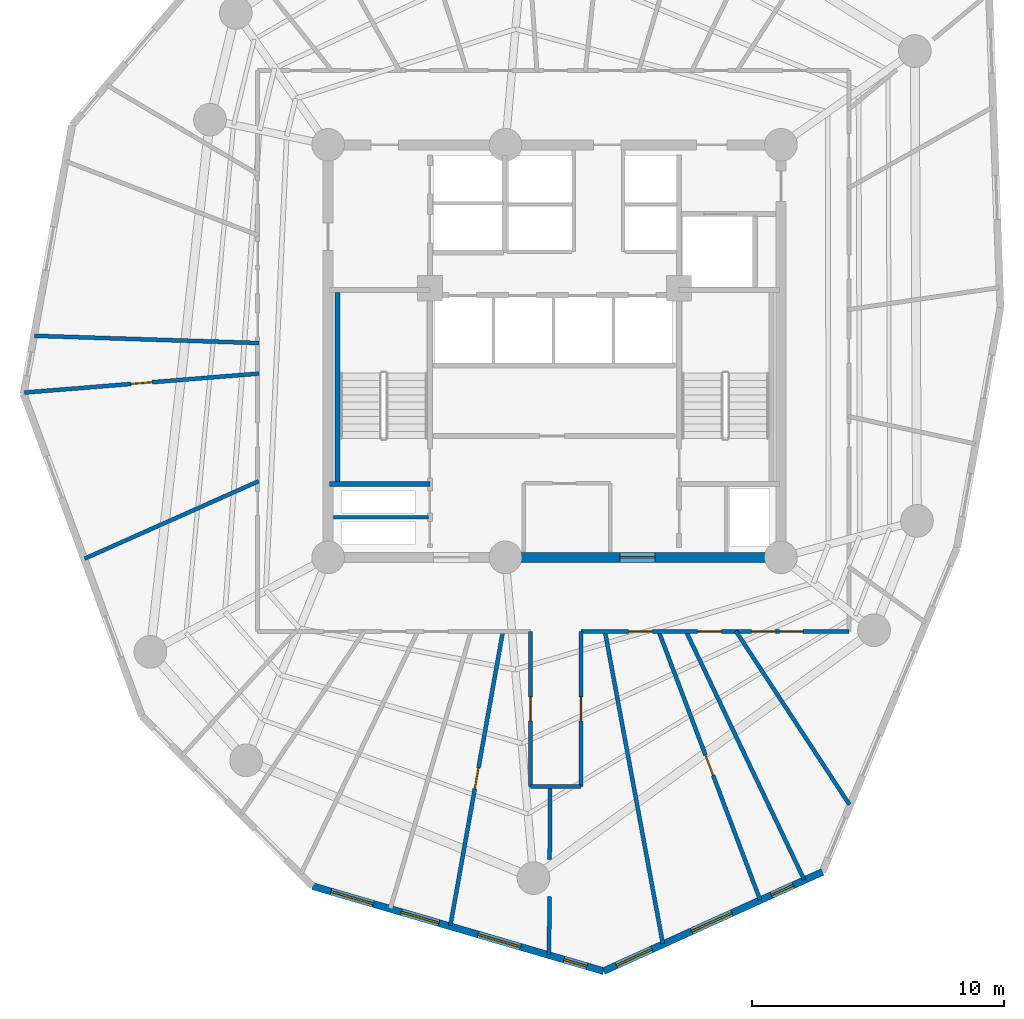
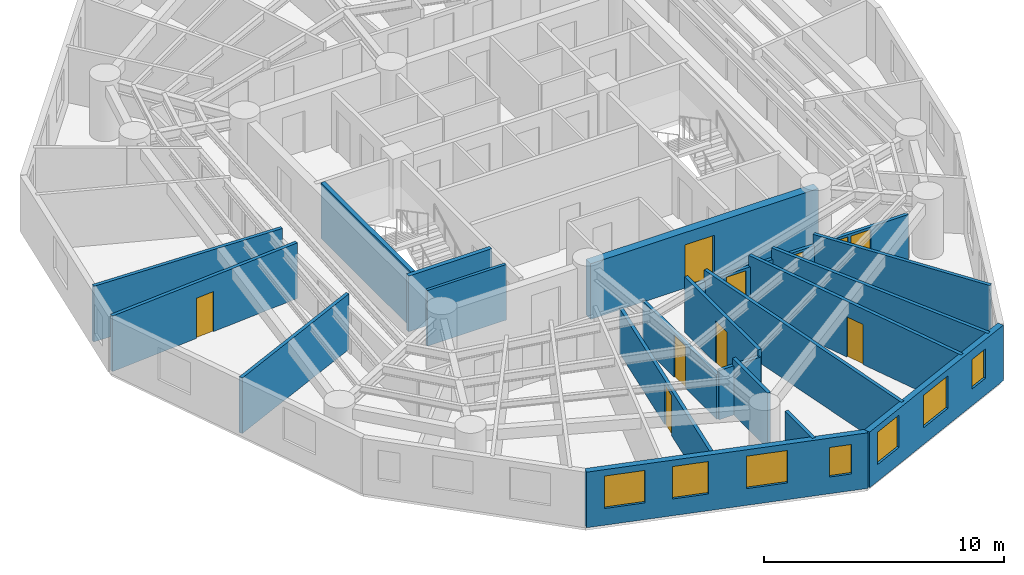
# One storey, part 3 of 8: 20 walls, 10 doors, 7 windows, 17 openings.
"""IFC4 building model written with IfcOpenShell, lengths in metres."""

from ifc_helpers import new_model, si_unit, direction, frame, frame_2d, origin, origin_with_axes, place, context, subcontext, project, spatial, rectangle, extrude, source, transform, mapped, material, layer, layer_set, type_object, element, fill, save


model = new_model("IFC4")

# Units and contexts
model_context = context("Model", 3, precision=1e-05, world=origin(), true_north=direction((0.0, 1.0)))
body_context = subcontext(model_context, "Body", "Model", "MODEL_VIEW")
ifc_project = project(units=[si_unit("LENGTHUNIT", "METRE"), si_unit("AREAUNIT", "SQUARE_METRE"), si_unit("VOLUMEUNIT", "CUBIC_METRE"), si_unit("PLANEANGLEUNIT", "RADIAN"), si_unit("MASSUNIT", "GRAM", prefix="KILO")], contexts=[model_context])

# Site, building, storey
site_placement = place(None, origin())
site = spatial("IfcSite", under=ifc_project, at=site_placement, CompositionType="ELEMENT")
building_placement = place(site_placement, origin())
building = spatial("IfcBuilding", under=site, at=building_placement, Name="Karkom Vertical University and Central Library", CompositionType="ELEMENT")
storey_placement = place(building_placement, frame((0.0, 0.0, 162.64990234375)))
storey = spatial("IfcBuildingStorey", under=building, at=storey_placement, Name="L46", CompositionType="ELEMENT", Elevation=162.64990234375)

# Wall, openings, windows
ifc_material_1 = material(Name="Brick-faced precast concrete C45/55", Category="masonry")
ifc_layer_1 = layer(ifc_material_1, 0.280029296875)
ifc_layer_set_1 = layer_set([ifc_layer_1], Name="Brick-faced precast concrete C45/55")
wall_type_1 = type_object("IfcWallType", Name="ENV-WL-BRK-280", PredefinedType="SOLIDWALL", material=ifc_layer_set_1)
wall_1_placement = place(storey_placement, frame((18.884521484375, 5.22998046875, 0.0), z_axis=(0.0, 0.0, 1.0), x_axis=(0.959880587049, -0.280409091519, 0.0)))
wall_1 = element("IfcWall", 1, at=wall_1_placement, inside=storey, type_object=wall_type_1, Name="Level 46 Brick-Faced Precast Facade Wall 04", PredefinedType="SOLIDWALL", context=body_context, shape_type="SweptSolid", body=[
    extrude(rectangle(XDim=12.053466796875, YDim=0.280029296875, at=frame_2d((6.02685546875, 0.0))), origin(), (0.0, 0.0, 1.0), 2.8251953125),
])
opening_1_placement = place(wall_1_placement, frame((0.76318359375, 0.0, 0.85009765625)))
opening_1 = element("IfcOpeningElement", 2, at=opening_1_placement, cuts=wall_1, Name="Opening WN-08", PredefinedType="OPENING", context=body_context, shape_type="SweptSolid", body=[
    extrude(rectangle(XDim=1.75, YDim=1.64990234375, at=frame_2d((0.875, 0.824951171875))), frame((0.0, 0.14990234375, 0.0), z_axis=(0.0, -1.0, 0.0), x_axis=(1.0, 0.0, 0.0)), (0.0, 0.0, 1.0), 0.300048828125),
])
opening_2_placement = place(wall_1_placement, frame((3.67919921875, 0.0, 0.85009765625)))
opening_2 = element("IfcOpeningElement", 3, at=opening_2_placement, cuts=wall_1, Name="Opening WN-09", PredefinedType="OPENING", context=body_context, shape_type="SweptSolid", body=[
    extrude(rectangle(XDim=1.550048828125, YDim=1.64990234375, at=frame_2d((0.77490234375, 0.824951171875))), frame((0.0, 0.14990234375, 0.0), z_axis=(0.0, -1.0, 0.0), x_axis=(1.0, 0.0, 0.0)), (0.0, 0.0, 1.0), 0.300048828125),
])
opening_3_placement = place(wall_1_placement, frame((6.85888671875, 0.0, 0.85009765625)))
opening_3 = element("IfcOpeningElement", 4, at=opening_3_placement, cuts=wall_1, Name="Opening WN-08", PredefinedType="OPENING", context=body_context, shape_type="SweptSolid", body=[
    extrude(rectangle(XDim=1.75, YDim=1.64990234375, at=frame_2d((0.875, 0.824951171875))), frame((0.0, 0.14990234375, 0.0), z_axis=(0.0, -1.0, 0.0), x_axis=(1.0, 0.0, 0.0)), (0.0, 0.0, 1.0), 0.300048828125),
])
opening_4_placement = place(wall_1_placement, frame((10.409423828125, 0.0, 0.85009765625)))
opening_4 = element("IfcOpeningElement", 5, at=opening_4_placement, cuts=wall_1, Name="Opening WN-12", PredefinedType="OPENING", context=body_context, shape_type="SweptSolid", body=[
    extrude(rectangle(XDim=0.949951171875, YDim=1.5, at=frame_2d((0.47509765625, 0.75))), frame((0.0, 0.14990234375, 0.0), z_axis=(0.0, -1.0, 0.0), x_axis=(1.0, 0.0, 0.0)), (0.0, 0.0, 1.0), 0.300048828125),
])
ifc_material_2 = material(Name="Aluminium thermal-break frame with solar-control IGU", Category="aluminium")
window_type_1 = type_object("IfcWindowType", Name="ENV-WIN-WN-12", PartitioningType="SINGLE_PANEL", PredefinedType="WINDOW", material=ifc_material_2)
shared_shape_1 = source(origin_with_axes(), body_context, "Body", "SweptSolid", [
    extrude(rectangle(XDim=0.949951171875, YDim=1.5, at=frame_2d((0.47509765625, 0.75))), frame((0.0, 0.030029296875, 0.0), z_axis=(0.0, -1.0, 0.0), x_axis=(1.0, 0.0, 0.0)), (0.0, 0.0, 1.0), 0.06005859375),
])
window_1_placement = place(opening_4_placement, origin())
window_1 = element("IfcWindow", 6, at=window_1_placement, inside=storey, type_object=window_type_1, Name="Level 46 Punched Window 4.4", OverallHeight=1.5, OverallWidth=0.949951171875, PartitioningType="SINGLE_PANEL", PredefinedType="WINDOW", context=body_context, shape_type="MappedRepresentation", body=[
    mapped(shared_shape_1, transform((0.0, 0.0, 0.0), scale=1.0)),
])
fill(opening_4, window_1)
window_type_2 = type_object("IfcWindowType", Name="ENV-WIN-WN-08", PartitioningType="SINGLE_PANEL", PredefinedType="WINDOW", material=ifc_material_2)
shared_shape_2 = source(origin_with_axes(), body_context, "Body", "SweptSolid", [
    extrude(rectangle(XDim=1.75, YDim=1.64990234375, at=frame_2d((0.875, 0.824951171875))), frame((0.0, 0.030029296875, 0.0), z_axis=(0.0, -1.0, 0.0), x_axis=(1.0, 0.0, 0.0)), (0.0, 0.0, 1.0), 0.06005859375),
])
window_2_placement = place(opening_1_placement, origin())
window_2 = element("IfcWindow", 7, at=window_2_placement, inside=storey, type_object=window_type_2, Name="Level 46 Punched Window 4.1", OverallHeight=1.64990234375, OverallWidth=1.75, PartitioningType="SINGLE_PANEL", PredefinedType="WINDOW", context=body_context, shape_type="MappedRepresentation", body=[
    mapped(shared_shape_2, transform((0.0, 0.0, 0.0), scale=1.0)),
])
fill(opening_1, window_2)
window_3_placement = place(opening_3_placement, origin())
window_3 = element("IfcWindow", 8, at=window_3_placement, inside=storey, type_object=window_type_2, Name="Level 46 Punched Window 4.3", OverallHeight=1.64990234375, OverallWidth=1.75, PartitioningType="SINGLE_PANEL", PredefinedType="WINDOW", context=body_context, shape_type="MappedRepresentation", body=[
    mapped(shared_shape_2, transform((0.0, 0.0, 0.0), scale=1.0)),
])
fill(opening_3, window_3)
window_type_3 = type_object("IfcWindowType", Name="ENV-WIN-WN-09", PartitioningType="SINGLE_PANEL", PredefinedType="WINDOW", material=ifc_material_2)
shared_shape_3 = source(origin_with_axes(), body_context, "Body", "SweptSolid", [
    extrude(rectangle(XDim=1.550048828125, YDim=1.64990234375, at=frame_2d((0.77490234375, 0.824951171875))), frame((0.0, 0.030029296875, 0.0), z_axis=(0.0, -1.0, 0.0), x_axis=(1.0, 0.0, 0.0)), (0.0, 0.0, 1.0), 0.06005859375),
])
window_4_placement = place(opening_2_placement, origin())
window_4 = element("IfcWindow", 9, at=window_4_placement, inside=storey, type_object=window_type_3, Name="Level 46 Punched Window 4.2", OverallHeight=1.64990234375, OverallWidth=1.550048828125, PartitioningType="SINGLE_PANEL", PredefinedType="WINDOW", context=body_context, shape_type="MappedRepresentation", body=[
    mapped(shared_shape_3, transform((0.0, 0.0, 0.0), scale=1.0)),
])
fill(opening_2, window_4)

wall_2_placement = place(storey_placement, frame((30.454345703125, 1.85009765625, 0.0), z_axis=(0.0, 0.0, 1.0), x_axis=(0.910849042107, 0.412739654617, 0.0)))
wall_2 = element("IfcWall", 10, at=wall_2_placement, inside=storey, type_object=wall_type_1, Name="Level 46 Brick-Faced Precast Facade Wall 05", PredefinedType="SOLIDWALL", context=body_context, shape_type="SweptSolid", body=[
    extrude(rectangle(XDim=9.5517578125, YDim=0.280029296875, at=frame_2d((4.77587890625, 0.0))), origin(), (0.0, 0.0, 1.0), 2.8251953125),
])
opening_5_placement = place(wall_2_placement, frame((0.55712890625, 0.0, 0.85009765625)))
opening_5 = element("IfcOpeningElement", 11, at=opening_5_placement, cuts=wall_2, Name="Opening WN-09", PredefinedType="OPENING", context=body_context, shape_type="SweptSolid", body=[
    extrude(rectangle(XDim=1.550048828125, YDim=1.64990234375, at=frame_2d((0.77490234375, 0.824951171875))), frame((0.0, 0.14990234375, 0.0), z_axis=(0.0, -1.0, 0.0), x_axis=(1.0, 0.0, 0.0)), (0.0, 0.0, 1.0), 0.300048828125),
])
opening_6_placement = place(wall_2_placement, frame((3.84619140625, 0.0, 0.85009765625)))
opening_6 = element("IfcOpeningElement", 12, at=opening_6_placement, cuts=wall_2, Name="Opening WN-08", PredefinedType="OPENING", context=body_context, shape_type="SweptSolid", body=[
    extrude(rectangle(XDim=1.75, YDim=1.64990234375, at=frame_2d((0.875, 0.824951171875))), frame((0.0, 0.14990234375, 0.0), z_axis=(0.0, -1.0, 0.0), x_axis=(1.0, 0.0, 0.0)), (0.0, 0.0, 1.0), 0.300048828125),
])
opening_7_placement = place(wall_2_placement, frame((7.32421875, 0.0, 0.85009765625)))
opening_7 = element("IfcOpeningElement", 13, at=opening_7_placement, cuts=wall_2, Name="Opening WN-12", PredefinedType="OPENING", context=body_context, shape_type="SweptSolid", body=[
    extrude(rectangle(XDim=0.949951171875, YDim=1.5, at=frame_2d((0.47509765625, 0.75))), frame((0.0, 0.14990234375, 0.0), z_axis=(0.0, -1.0, 0.0), x_axis=(1.0, 0.0, 0.0)), (0.0, 0.0, 1.0), 0.300048828125),
])
window_5_placement = place(opening_7_placement, origin())
window_5 = element("IfcWindow", 14, at=window_5_placement, inside=storey, type_object=window_type_1, Name="Level 46 Punched Window 5.3", OverallHeight=1.5, OverallWidth=0.949951171875, PartitioningType="SINGLE_PANEL", PredefinedType="WINDOW", context=body_context, shape_type="MappedRepresentation", body=[
    mapped(shared_shape_1, transform((0.0, 0.0, 0.0), scale=1.0)),
])
fill(opening_7, window_5)
window_6_placement = place(opening_6_placement, origin())
window_6 = element("IfcWindow", 15, at=window_6_placement, inside=storey, type_object=window_type_2, Name="Level 46 Punched Window 5.2", OverallHeight=1.64990234375, OverallWidth=1.75, PartitioningType="SINGLE_PANEL", PredefinedType="WINDOW", context=body_context, shape_type="MappedRepresentation", body=[
    mapped(shared_shape_2, transform((0.0, 0.0, 0.0), scale=1.0)),
])
fill(opening_6, window_6)
window_7_placement = place(opening_5_placement, origin())
window_7 = element("IfcWindow", 16, at=window_7_placement, inside=storey, type_object=window_type_3, Name="Level 46 Punched Window 5.1", OverallHeight=1.64990234375, OverallWidth=1.550048828125, PartitioningType="SINGLE_PANEL", PredefinedType="WINDOW", context=body_context, shape_type="MappedRepresentation", body=[
    mapped(shared_shape_3, transform((0.0, 0.0, 0.0), scale=1.0)),
])
fill(opening_5, window_7)

# Wall
ifc_material_3 = material(Name="Insulated metal-stud drywall 160mm", Category="gypsum")
ifc_layer_2 = layer(ifc_material_3, 0.159912109375)
ifc_layer_set_2 = layer_set([ifc_layer_2], Name="Insulated metal-stud drywall 160mm")
wall_type_2 = type_object("IfcWallType", Name="INT-WL-COR-160", PredefinedType="PARTITIONING", material=ifc_layer_set_2)
wall_3_placement = place(storey_placement, frame((30.50146484375, 15.37939453125, 0.0), z_axis=(0.0, 0.0, 1.0), x_axis=(0.182367171239, -0.983230499351, 0.0)))
element("IfcWall", 17, at=wall_3_placement, inside=storey, type_object=wall_type_2, Name="Level 46 Interior Partition Wall L46-PW-011", PredefinedType="PARTITIONING", context=body_context, shape_type="SweptSolid", body=[
    extrude(rectangle(XDim=12.645751953125, YDim=0.159912109375, at=frame_2d((6.32275390625, 0.0))), origin(), (0.0, 0.0, 1.0), 2.8251953125),
])

# Wall, opening, door
wall_4_placement = place(storey_placement, frame((26.452880859375, 15.37939453125, 0.0), z_axis=(0.0, 0.0, 1.0), x_axis=(-0.175848115547, -0.984417310016, 0.0)))
wall_4 = element("IfcWall", 18, at=wall_4_placement, inside=storey, type_object=wall_type_2, Name="Level 46 Interior Partition Wall L46-PW-008", PredefinedType="PARTITIONING", context=body_context, shape_type="SweptSolid", body=[
    extrude(rectangle(XDim=11.907958984375, YDim=0.159912109375, at=frame_2d((5.9541015625, 0.0))), origin(), (0.0, 0.0, 1.0), 2.275146484375),
])
opening_8_placement = place(wall_4_placement, frame((5.52392578125, 0.0, 0.0)))
opening_8 = element("IfcOpeningElement", 19, at=opening_8_placement, cuts=wall_4, Name="Opening FD-BTH2", PredefinedType="OPENING", context=body_context, shape_type="SweptSolid", body=[
    extrude(rectangle(XDim=0.860107421875, YDim=2.0400390625, at=frame_2d((0.43017578125, 1.02001953125))), frame((0.0, 0.08984375, 0.0), z_axis=(0.0, -1.0, 0.0), x_axis=(1.0, 0.0, 0.0)), (0.0, 0.0, 1.0), 0.179931640625),
])
ifc_material_4 = material(Name="Fire-rated moisture-resistant oak door", Category="wood")
door_type_1 = type_object("IfcDoorType", Name="INT-DR-FBTH2", OperationType="NOTDEFINED", PredefinedType="DOOR", material=ifc_material_4)
shared_shape_4 = source(origin_with_axes(), body_context, "Body", "SweptSolid", [
    extrude(rectangle(XDim=0.860107421875, YDim=2.0400390625, at=frame_2d((0.43017578125, 1.02001953125))), frame((0.0, 0.02490234375, 0.0), z_axis=(0.0, -1.0, 0.0), x_axis=(1.0, 0.0, 0.0)), (0.0, 0.0, 1.0), 0.050048828125),
])
door_1_placement = place(opening_8_placement, origin())
door_1 = element("IfcDoor", 20, at=door_1_placement, inside=storey, type_object=door_type_1, Name="Level 46 Academic Collaborative Study Lounge Entry Door", OperationType="SINGLE_SWING_LEFT", OverallHeight=2.0400390625, OverallWidth=0.860107421875, PredefinedType="DOOR", context=body_context, shape_type="MappedRepresentation", body=[
    mapped(shared_shape_4, transform((0.0, 0.0, 0.0), scale=1.0)),
])
fill(opening_8, door_1)

wall_5_placement = place(storey_placement, frame((32.635986328125, 15.378173828125, 0.0), z_axis=(0.0, 0.0, 1.0), x_axis=(0.353270856326, -0.93552108585, 0.0)))
wall_5 = element("IfcWall", 21, at=wall_5_placement, inside=storey, type_object=wall_type_2, Name="Level 46 Interior Partition Wall L46-PW-012", PredefinedType="PARTITIONING", context=body_context, shape_type="SweptSolid", body=[
    extrude(rectangle(XDim=11.420166015625, YDim=0.159912109375, at=frame_2d((5.7099609375, 0.0))), origin(), (0.0, 0.0, 1.0), 2.8251953125),
])
opening_9_placement = place(wall_5_placement, frame((5.280029296875, 0.0, 0.0)))
opening_9 = element("IfcOpeningElement", 22, at=opening_9_placement, cuts=wall_5, Name="Opening FD-BTH2", PredefinedType="OPENING", context=body_context, shape_type="SweptSolid", body=[
    extrude(rectangle(XDim=0.860107421875, YDim=2.0400390625, at=frame_2d((0.43017578125, 1.02001953125))), frame((0.0, 0.08984375, 0.0), z_axis=(0.0, -1.0, 0.0), x_axis=(1.0, 0.0, 0.0)), (0.0, 0.0, 1.0), 0.179931640625),
])
door_2_placement = place(opening_9_placement, origin())
door_2 = element("IfcDoor", 23, at=door_2_placement, inside=storey, type_object=door_type_1, Name="Level 46 Campus Student Health Counseling Clinic Entry Door", OperationType="SINGLE_SWING_RIGHT", OverallHeight=2.0400390625, OverallWidth=0.860107421875, PredefinedType="DOOR", context=body_context, shape_type="MappedRepresentation", body=[
    mapped(shared_shape_4, transform((0.0, 0.0, 0.0), scale=1.0)),
])
fill(opening_9, door_2)

# Wall
wall_6_placement = place(storey_placement, frame((33.72216796875, 15.377197265625, 0.0), z_axis=(0.0, 0.0, 1.0), x_axis=(0.429403808609, -0.903112600483, 0.0)))
element("IfcWall", 24, at=wall_6_placement, inside=storey, type_object=wall_type_2, Name="Level 46 Interior Partition Wall L46-PW-013", PredefinedType="PARTITIONING", context=body_context, shape_type="SweptSolid", body=[
    extrude(rectangle(XDim=10.94921875, YDim=0.159912109375, at=frame_2d((5.474609375, 0.0))), origin(), (0.0, 0.0, 1.0), 2.8251953125),
])

# Wall, openings, doors
wall_7_placement = place(storey_placement, frame((40.199951171875, 15.35009765625, 0.0), z_axis=(0.0, 0.0, 1.0), x_axis=(-1.0, 0.0, 0.0)))
wall_7 = element("IfcWall", 25, at=wall_7_placement, inside=storey, type_object=wall_type_2, Name="Level 46 Interior Partition Wall L46-CORW-CW-005", PredefinedType="PARTITIONING", context=body_context, shape_type="SweptSolid", body=[
    extrude(rectangle(XDim=10.64990234375, YDim=0.159912109375, at=frame_2d((5.324951171875, 0.0))), origin(), (0.0, 0.0, 1.0), 2.275146484375),
])
opening_10_placement = place(wall_7_placement, frame((7.802490234375, 0.0, 0.0)))
opening_10 = element("IfcOpeningElement", 26, at=opening_10_placement, cuts=wall_7, Name="Opening D-RM1", PredefinedType="OPENING", context=body_context, shape_type="SweptSolid", body=[
    extrude(rectangle(XDim=0.949951171875, YDim=2.14990234375, at=frame_2d((0.47509765625, 1.074951171875))), frame((0.0, 0.08984375, 0.0), z_axis=(0.0, -1.0, 0.0), x_axis=(1.0, 0.0, 0.0)), (0.0, 0.0, 1.0), 0.179931640625),
])
opening_11_placement = place(wall_7_placement, frame((5.0576171875, 0.0, 0.0)))
opening_11 = element("IfcOpeningElement", 27, at=opening_11_placement, cuts=wall_7, Name="Opening D-RM1", PredefinedType="OPENING", context=body_context, shape_type="SweptSolid", body=[
    extrude(rectangle(XDim=0.949951171875, YDim=2.14990234375, at=frame_2d((0.47509765625, 1.074951171875))), frame((0.0, 0.08984375, 0.0), z_axis=(0.0, -1.0, 0.0), x_axis=(1.0, 0.0, 0.0)), (0.0, 0.0, 1.0), 0.179931640625),
])
opening_12_placement = place(wall_7_placement, frame((2.909912109375, 0.0, 0.0)))
opening_12 = element("IfcOpeningElement", 28, at=opening_12_placement, cuts=wall_7, Name="Opening D-RM1", PredefinedType="OPENING", context=body_context, shape_type="SweptSolid", body=[
    extrude(rectangle(XDim=0.949951171875, YDim=2.14990234375, at=frame_2d((0.47509765625, 1.074951171875))), frame((0.0, 0.08984375, 0.0), z_axis=(0.0, -1.0, 0.0), x_axis=(1.0, 0.0, 0.0)), (0.0, 0.0, 1.0), 0.179931640625),
])
opening_13_placement = place(wall_7_placement, frame((1.8125, 0.0, 0.0)))
opening_13 = element("IfcOpeningElement", 29, at=opening_13_placement, cuts=wall_7, Name="Opening D-RM1", PredefinedType="OPENING", context=body_context, shape_type="SweptSolid", body=[
    extrude(rectangle(XDim=0.949951171875, YDim=2.14990234375, at=frame_2d((0.47509765625, 1.074951171875))), frame((0.0, 0.08984375, 0.0), z_axis=(0.0, -1.0, 0.0), x_axis=(1.0, 0.0, 0.0)), (0.0, 0.0, 1.0), 0.179931640625),
])
ifc_material_5 = material(Name="Solid-core oak veneer door", Category="wood")
door_type_2 = type_object("IfcDoorType", Name="INT-DR-RM1", OperationType="NOTDEFINED", PredefinedType="DOOR", material=ifc_material_5)
shared_shape_5 = source(origin_with_axes(), body_context, "Body", "SweptSolid", [
    extrude(rectangle(XDim=0.949951171875, YDim=2.14990234375, at=frame_2d((0.47509765625, 1.074951171875))), frame((0.0, 0.02490234375, 0.0), z_axis=(0.0, -1.0, 0.0), x_axis=(1.0, 0.0, 0.0)), (0.0, 0.0, 1.0), 0.050048828125),
])
door_3_placement = place(opening_10_placement, origin())
door_3 = element("IfcDoor", 30, at=door_3_placement, inside=storey, type_object=door_type_2, Name="Level 46 Room Entry Door 090", OperationType="SINGLE_SWING_LEFT", OverallHeight=2.14990234375, OverallWidth=0.949951171875, PredefinedType="DOOR", context=body_context, shape_type="MappedRepresentation", body=[
    mapped(shared_shape_5, transform((0.0, 0.0, 0.0), scale=1.0)),
])
fill(opening_10, door_3)
door_4_placement = place(opening_11_placement, origin())
door_4 = element("IfcDoor", 31, at=door_4_placement, inside=storey, type_object=door_type_2, Name="Level 46 Room Entry Door 100", OperationType="SINGLE_SWING_RIGHT", OverallHeight=2.14990234375, OverallWidth=0.949951171875, PredefinedType="DOOR", context=body_context, shape_type="MappedRepresentation", body=[
    mapped(shared_shape_5, transform((0.0, 0.0, 0.0), scale=1.0)),
])
fill(opening_11, door_4)
door_5_placement = place(opening_12_placement, origin())
door_5 = element("IfcDoor", 32, at=door_5_placement, inside=storey, type_object=door_type_2, Name="Level 46 Room Entry Door 110", OperationType="SINGLE_SWING_LEFT", OverallHeight=2.14990234375, OverallWidth=0.949951171875, PredefinedType="DOOR", context=body_context, shape_type="MappedRepresentation", body=[
    mapped(shared_shape_5, transform((0.0, 0.0, 0.0), scale=1.0)),
])
fill(opening_12, door_5)
door_6_placement = place(opening_13_placement, origin())
door_6 = element("IfcDoor", 33, at=door_6_placement, inside=storey, type_object=door_type_2, Name="Level 46 Room Entry Door 120", OperationType="SINGLE_SWING_RIGHT", OverallHeight=2.14990234375, OverallWidth=0.949951171875, PredefinedType="DOOR", context=body_context, shape_type="MappedRepresentation", body=[
    mapped(shared_shape_5, transform((0.0, 0.0, 0.0), scale=1.0)),
])
fill(opening_13, door_6)

# Wall, opening, door
wall_8_placement = place(storey_placement, frame((16.744873046875, 25.60595703125, 0.0), z_axis=(0.0, 0.0, 1.0), x_axis=(-0.99672193756, -0.080903517766, 0.0)))
wall_8 = element("IfcWall", 34, at=wall_8_placement, inside=storey, type_object=wall_type_2, Name="Level 46 Interior Partition Wall L46-PW-001", PredefinedType="PARTITIONING", context=body_context, shape_type="SweptSolid", body=[
    extrude(rectangle(XDim=9.348876953125, YDim=0.159912109375, at=frame_2d((4.67431640625, 0.0))), origin(), (0.0, 0.0, 1.0), 2.8251953125),
])
opening_14_placement = place(wall_8_placement, frame((4.244384765625, 0.0, 0.0)))
opening_14 = element("IfcOpeningElement", 35, at=opening_14_placement, cuts=wall_8, Name="Opening FD-BTH2", PredefinedType="OPENING", context=body_context, shape_type="SweptSolid", body=[
    extrude(rectangle(XDim=0.860107421875, YDim=2.0400390625, at=frame_2d((0.43017578125, 1.02001953125))), frame((0.0, 0.08984375, 0.0), z_axis=(0.0, -1.0, 0.0), x_axis=(1.0, 0.0, 0.0)), (0.0, 0.0, 1.0), 0.179931640625),
])
door_7_placement = place(opening_14_placement, origin())
door_7 = element("IfcDoor", 36, at=door_7_placement, inside=storey, type_object=door_type_1, Name="Level 46 Faculty Consultation and Research Office Entry Door", OperationType="SINGLE_SWING_RIGHT", OverallHeight=2.0400390625, OverallWidth=0.860107421875, PredefinedType="DOOR", context=body_context, shape_type="MappedRepresentation", body=[
    mapped(shared_shape_4, transform((0.0, 0.0, 0.0), scale=1.0)),
])
fill(opening_14, door_7)

# Walls
wall_9_placement = place(storey_placement, frame((7.8330078125, 27.107421875, 0.0), z_axis=(0.0, 0.0, 1.0), x_axis=(0.999478832783, -0.032280997804, 0.0)))
element("IfcWall", 37, at=wall_9_placement, inside=storey, type_object=wall_type_2, Name="Level 46 Interior Partition Wall L46-PW-002", PredefinedType="PARTITIONING", context=body_context, shape_type="SweptSolid", body=[
    extrude(rectangle(XDim=8.916748046875, YDim=0.159912109375, at=frame_2d((4.45849609375, 0.0))), origin(), (0.0, 0.0, 1.0), 2.8251953125),
])
wall_10_placement = place(storey_placement, frame((35.70703125, 15.375, 0.0), z_axis=(0.0, 0.0, 1.0), x_axis=(0.547512330947, -0.836797614397, 0.0)))
element("IfcWall", 38, at=wall_10_placement, inside=storey, type_object=wall_type_2, Name="Level 46 Interior Partition Wall L46-PW-014", PredefinedType="PARTITIONING", context=body_context, shape_type="SweptSolid", body=[
    extrude(rectangle(XDim=8.253662109375, YDim=0.159912109375, at=frame_2d((4.126953125, 0.0))), origin(), (0.0, 0.0, 1.0), 2.8251953125),
])
wall_11_placement = place(storey_placement, frame((16.7412109375, 21.32958984375, 0.0), z_axis=(0.0, 0.0, 1.0), x_axis=(-0.913526832816, -0.406778472544, 0.0)))
element("IfcWall", 39, at=wall_11_placement, inside=storey, type_object=wall_type_2, Name="Level 46 Interior Partition Wall L46-PW-003", PredefinedType="PARTITIONING", context=body_context, shape_type="SweptSolid", body=[
    extrude(rectangle(XDim=7.572998046875, YDim=0.159912109375, at=frame_2d((3.78662109375, 0.0))), origin(), (0.0, 0.0, 1.0), 2.8251953125),
])

# Wall, opening, door
wall_12_placement = place(storey_placement, frame((29.550048828125, 15.35009765625, 0.0), z_axis=(0.0, 0.0, 1.0), x_axis=(0.0, -1.0, 0.0)))
wall_12 = element("IfcWall", 40, at=wall_12_placement, inside=storey, type_object=wall_type_2, Name="Level 46 Interior Partition Wall L46-CORW-CW-006", PredefinedType="PARTITIONING", context=body_context, shape_type="SweptSolid", body=[
    extrude(rectangle(XDim=6.150146484375, YDim=0.159912109375, at=frame_2d((3.0751953125, 0.0))), origin(), (0.0, 0.0, 1.0), 2.8251953125),
])
opening_15_placement = place(wall_12_placement, frame((2.60009765625, 0.0, 0.0)))
opening_15 = element("IfcOpeningElement", 41, at=opening_15_placement, cuts=wall_12, Name="Opening D-RM1", PredefinedType="OPENING", context=body_context, shape_type="SweptSolid", body=[
    extrude(rectangle(XDim=0.949951171875, YDim=2.14990234375, at=frame_2d((0.47509765625, 1.074951171875))), frame((0.0, 0.08984375, 0.0), z_axis=(0.0, -1.0, 0.0), x_axis=(1.0, 0.0, 0.0)), (0.0, 0.0, 1.0), 0.179931640625),
])
door_8_placement = place(opening_15_placement, origin())
door_8 = element("IfcDoor", 42, at=door_8_placement, inside=storey, type_object=door_type_2, Name="Level 46 Room Entry Door 080", OperationType="SINGLE_SWING_RIGHT", OverallHeight=2.14990234375, OverallWidth=0.949951171875, PredefinedType="DOOR", context=body_context, shape_type="MappedRepresentation", body=[
    mapped(shared_shape_5, transform((0.0, 0.0, 0.0), scale=1.0)),
])
fill(opening_15, door_8)

wall_13_placement = place(storey_placement, frame((27.550048828125, 9.199951171875, 0.0), z_axis=(0.0, 0.0, 1.0), x_axis=(0.0, 1.0, 0.0)))
wall_13 = element("IfcWall", 43, at=wall_13_placement, inside=storey, type_object=wall_type_2, Name="Level 46 Interior Partition Wall L46-CORW-CW-008", PredefinedType="PARTITIONING", context=body_context, shape_type="SweptSolid", body=[
    extrude(rectangle(XDim=6.150146484375, YDim=0.159912109375, at=frame_2d((3.0751953125, 0.0))), origin(), (0.0, 0.0, 1.0), 2.275146484375),
])
opening_16_placement = place(wall_13_placement, frame((2.60009765625, 0.0, 0.0)))
opening_16 = element("IfcOpeningElement", 44, at=opening_16_placement, cuts=wall_13, Name="Opening D-RM1", PredefinedType="OPENING", context=body_context, shape_type="SweptSolid", body=[
    extrude(rectangle(XDim=0.949951171875, YDim=2.14990234375, at=frame_2d((0.47509765625, 1.074951171875))), frame((0.0, 0.08984375, 0.0), z_axis=(0.0, -1.0, 0.0), x_axis=(1.0, 0.0, 0.0)), (0.0, 0.0, 1.0), 0.179931640625),
])
door_9_placement = place(opening_16_placement, origin())
door_9 = element("IfcDoor", 45, at=door_9_placement, inside=storey, type_object=door_type_2, Name="Level 46 Room Entry Door 070", OperationType="SINGLE_SWING_LEFT", OverallHeight=2.14990234375, OverallWidth=0.949951171875, PredefinedType="DOOR", context=body_context, shape_type="MappedRepresentation", body=[
    mapped(shared_shape_5, transform((0.0, 0.0, 0.0), scale=1.0)),
])
fill(opening_16, door_9)

# Walls
wall_14_placement = place(storey_placement, frame((28.328125, 9.22998046875, 0.0), z_axis=(0.0, 0.0, 1.0), x_axis=(-0.006475042741, -0.999979036691, 0.0)))
element("IfcWall", 46, at=wall_14_placement, inside=storey, type_object=wall_type_2, Name="Level 46 Interior Partition Wall L46-PW-009", PredefinedType="PARTITIONING", context=body_context, shape_type="SweptSolid", body=[
    extrude(rectangle(XDim=2.94091796875, YDim=0.159912109375, at=frame_2d((1.470458984375, 0.0))), origin(), (0.0, 0.0, 1.0), 2.8251953125),
])
wall_15_placement = place(storey_placement, frame((28.299560546875, 4.80908203125, 0.0), z_axis=(0.0, 0.0, 1.0), x_axis=(-0.006484396464, -0.99997897608, 0.0)))
element("IfcWall", 47, at=wall_15_placement, inside=storey, type_object=wall_type_2, Name="Level 46 Interior Partition Wall L46-PW-010", PredefinedType="PARTITIONING", context=body_context, shape_type="SweptSolid", body=[
    extrude(rectangle(XDim=2.296630859375, YDim=0.159912109375, at=frame_2d((1.1484375, 0.0))), origin(), (0.0, 0.0, 1.0), 2.8251953125),
])
wall_16_placement = place(storey_placement, frame((29.550048828125, 9.199951171875, 0.0), z_axis=(0.0, 0.0, 1.0), x_axis=(-1.0, 0.0, 0.0)))
element("IfcWall", 48, at=wall_16_placement, inside=storey, type_object=wall_type_2, Name="Level 46 Interior Partition Wall L46-CORW-CW-007", PredefinedType="PARTITIONING", context=body_context, shape_type="SweptSolid", body=[
    extrude(rectangle(XDim=2.0, YDim=0.159912109375, at=frame_2d((1.0, 0.0))), origin(), (0.0, 0.0, 1.0), 2.4951171875),
])
ifc_material_6 = material(Name="Metal-stud gypsum partition 140mm", Category="gypsum")
ifc_layer_3 = layer(ifc_material_6, 0.139892578125)
ifc_layer_set_3 = layer_set([ifc_layer_3], Name="Metal-stud gypsum partition 140mm")
wall_type_3 = type_object("IfcWallType", Name="INT-WL-SUB-140H", PredefinedType="PARTITIONING", material=ifc_layer_set_3)
wall_17_placement = place(storey_placement, frame((19.70703125, 19.889892578125, 0.0), z_axis=(0.0, 0.0, 1.0), x_axis=(1.0, 0.0, 0.0)))
element("IfcWall", 49, at=wall_17_placement, inside=storey, type_object=wall_type_3, Name="Level 46 Interior Partition Wall L46-CW-RIS-W", PredefinedType="PARTITIONING", context=body_context, shape_type="SweptSolid", body=[
    extrude(rectangle(XDim=3.789794921875, YDim=0.139892578125, at=frame_2d((1.89501953125, 0.0))), origin(), (0.0, 0.0, 1.0), 2.8251953125),
])

# Wall, opening, door
ifc_material_7 = material(Name="Concrete C50/60", Category="concrete")
ifc_layer_4 = layer(ifc_material_7, 0.39990234375)
ifc_layer_set_4 = layer_set([ifc_layer_4], Name="Concrete C50/60")
wall_type_4 = type_object("IfcWallType", Name="STR-WL-CW-400", PredefinedType="SHEAR", material=ifc_layer_set_4)
wall_18_placement = place(storey_placement, frame((26.550048828125, 18.300048828125, 0.0), z_axis=(0.0, 0.0, 1.0), x_axis=(1.0, 0.0, 0.0)))
wall_18 = element("IfcWall", 50, at=wall_18_placement, inside=storey, type_object=wall_type_4, Name="Level 46 Central Core Shear Wall SW2", PredefinedType="SHEAR", context=body_context, shape_type="SweptSolid", body=[
    extrude(rectangle(XDim=10.949951171875, YDim=0.39990234375, at=frame_2d((5.47509765625, 0.0))), origin(), (0.0, 0.0, 1.0), 2.8251953125),
])
opening_17_placement = place(wall_18_placement, frame((4.550048828125, 0.0, 0.0)))
opening_17 = element("IfcOpeningElement", 51, at=opening_17_placement, cuts=wall_18, Name="Opening FD-CLB", PredefinedType="OPENING", context=body_context, shape_type="SweptSolid", body=[
    extrude(rectangle(XDim=1.39990234375, YDim=2.199951171875, at=frame_2d((0.699951171875, 1.10009765625))), frame((0.0, 0.2099609375, 0.0), z_axis=(0.0, -1.0, 0.0), x_axis=(1.0, 0.0, 0.0)), (0.0, 0.0, 1.0), 0.419921875),
])
ifc_material_8 = material(Name="Painted steel fire door", Category="steel")
door_type_3 = type_object("IfcDoorType", Name="INT-DR-CLB", OperationType="DOUBLE_DOOR_SINGLE_SWING", PredefinedType="DOOR", material=ifc_material_8)
shared_shape_6 = source(origin_with_axes(), body_context, "Body", "SweptSolid", [
    extrude(rectangle(XDim=1.39990234375, YDim=2.199951171875, at=frame_2d((0.699951171875, 1.10009765625))), frame((0.0, 0.02490234375, 0.0), z_axis=(0.0, -1.0, 0.0), x_axis=(1.0, 0.0, 0.0)), (0.0, 0.0, 1.0), 0.050048828125),
])
door_10_placement = place(opening_17_placement, origin())
door_10 = element("IfcDoor", 52, at=door_10_placement, inside=storey, type_object=door_type_3, Name="Level 46 South Core Lobby East Exit Door", OperationType="DOUBLE_DOOR_SINGLE_SWING", OverallHeight=2.199951171875, OverallWidth=1.39990234375, PredefinedType="DOOR", context=body_context, shape_type="MappedRepresentation", body=[
    mapped(shared_shape_6, transform((0.0, 0.0, 0.0), scale=1.0)),
])
fill(opening_17, door_10)

# Walls
ifc_material_9 = material(Name="Concrete C45/55", Category="concrete")
ifc_layer_5 = layer(ifc_material_9, 0.199951171875)
ifc_layer_set_5 = layer_set([ifc_layer_5], Name="Concrete C45/55")
wall_type_5 = type_object("IfcWallType", Name="STR-WL-ST-200", PredefinedType="SHEAR", material=ifc_layer_set_5)
wall_19_placement = place(storey_placement, frame((19.875, 21.320068359375, 0.0), z_axis=(0.0, 0.0, 1.0), x_axis=(0.0, 1.0, 0.0)))
element("IfcWall", 53, at=wall_19_placement, inside=storey, type_object=wall_type_5, Name="Level 46 Core Shaft Wall L46-CW-ST1-W", PredefinedType="SHEAR", context=body_context, shape_type="SweptSolid", body=[
    extrude(rectangle(XDim=7.5, YDim=0.199951171875, at=frame_2d((3.75, 0.0))), origin(), (0.0, 0.0, 1.0), 2.8251953125),
])
wall_20_placement = place(storey_placement, frame((19.550048828125, 21.215087890625, 0.0), z_axis=(0.0, 0.0, 1.0), x_axis=(1.0, 0.0, 0.0)))
element("IfcWall", 54, at=wall_20_placement, inside=storey, type_object=wall_type_5, Name="Level 46 Core Shaft Wall L46-CW-ST1-S", PredefinedType="SHEAR", context=body_context, shape_type="SweptSolid", body=[
    extrude(rectangle(XDim=3.994873046875, YDim=0.199951171875, at=frame_2d((1.99755859375, 0.0))), origin(), (0.0, 0.0, 1.0), 2.8251953125),
])

save(model, "model.ifc")
